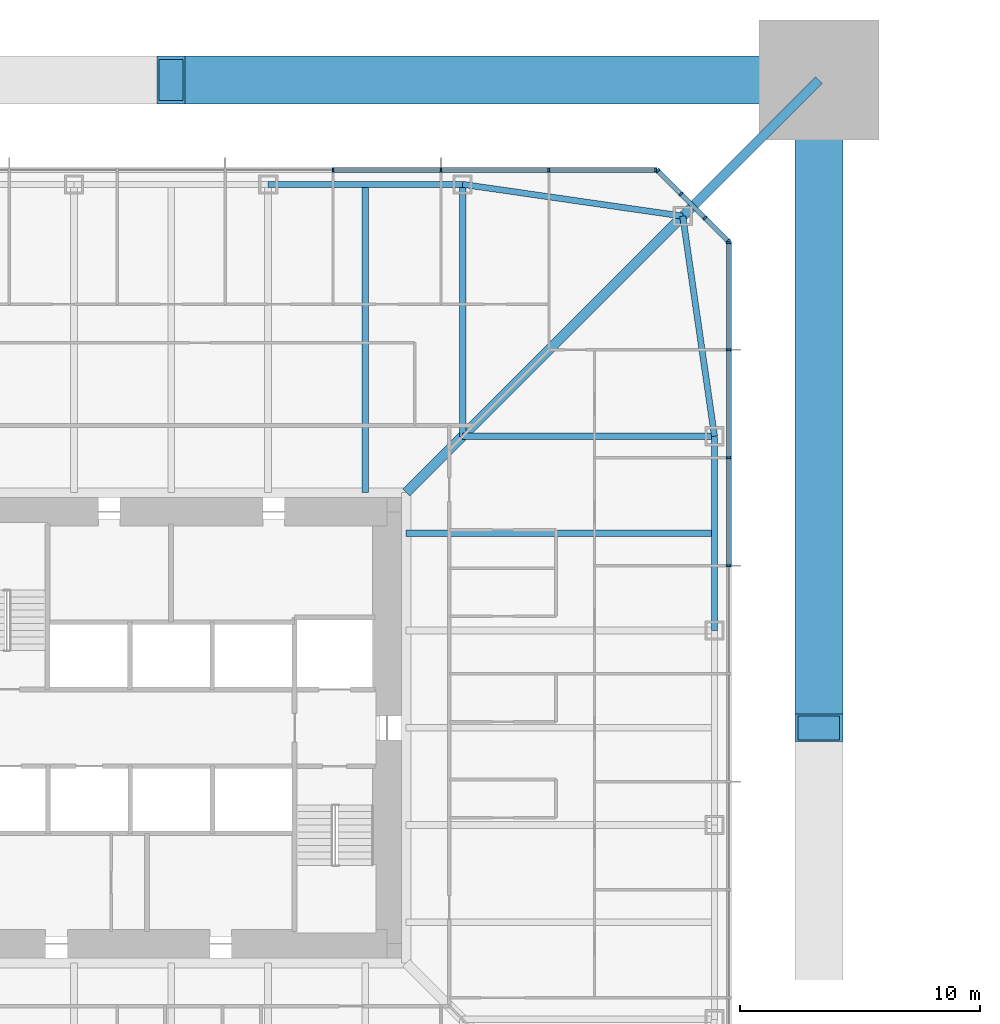
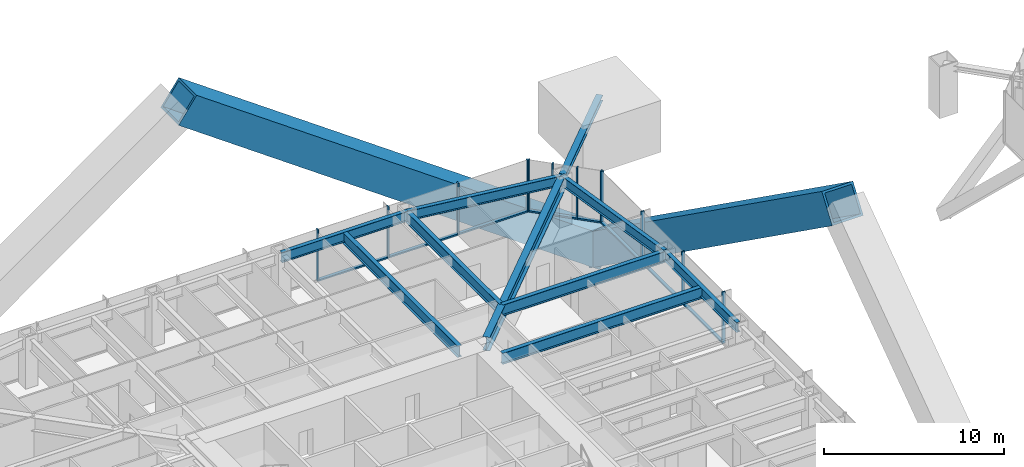
# One storey, part 9 of 28: 24 members, 9 beams, 3 elements without a shape of their own.
"""IFC4 building model written with IfcOpenShell, lengths in metres."""

from ifc_helpers import new_model, si_unit, direction, frame, origin, origin_2d, place, context, subcontext, project, spatial, rectangle, hollow_rectangle, i_section, extrude, material, material_profile, profile_set, type_object, element, aggregate, save


model = new_model("IFC4")

# Units and contexts
model_context = context("Model", 3, precision=1e-05, world=origin(), true_north=direction((0.0, 1.0)))
body_context = subcontext(model_context, "Body", "Model", "MODEL_VIEW")
ifc_project = project(units=[si_unit("LENGTHUNIT", "METRE"), si_unit("AREAUNIT", "SQUARE_METRE"), si_unit("VOLUMEUNIT", "CUBIC_METRE"), si_unit("PLANEANGLEUNIT", "RADIAN"), si_unit("MASSUNIT", "GRAM", prefix="KILO")], contexts=[model_context])

# Site, building, storey
site_placement = place(None, origin())
site = spatial("IfcSite", under=ifc_project, at=site_placement, CompositionType="ELEMENT")
building_placement = place(site_placement, origin())
building = spatial("IfcBuilding", under=site, at=building_placement, Name="Iwan Alto Co-Living Towers", CompositionType="ELEMENT")
storey_placement = place(building_placement, frame((0.0, 0.0, 43.0)))
storey = spatial("IfcBuildingStorey", under=building, at=storey_placement, Name="L11", CompositionType="ELEMENT", Elevation=43.0)

# Curtain wall, members
ifc_material_1 = material(Name="Bronze aluminium unitised frame", Category="aluminium")
curtain_wall_type_1 = type_object("IfcCurtainWallType", Name="CURTAIN WALL CW-A", PredefinedType="NOTDEFINED", material=ifc_material_1)
curtain_wall_1_placement = place(storey_placement, origin())
curtain_wall_1 = element("IfcCurtainWall", 1, at=curtain_wall_1_placement, inside=storey, type_object=curtain_wall_type_1, Name="T1 curtain wall E L11", PredefinedType="NOTDEFINED")
ifc_material_2 = material(Name="Aluminium 6063-T6 bronze anodised", Category="aluminium")
ifc_material_profile_1 = material_profile(ifc_material_2, rectangle(XDim=0.199951171875, YDim=0.080078125, at=origin_2d()), Name="AL 80X200")
ifc_profile_set_1 = profile_set([ifc_material_profile_1], Name="Aluminium 6063-T6 bronze anodised")
member_type_1 = type_object("IfcMemberType", Name="CW-A MULLION 80X200", PredefinedType="MULLION", material=ifc_profile_set_1)
member_1_placement = place(storey_placement, frame((23.25, 6.75, 0.0), z_axis=(0.0, 0.0, 1.0), x_axis=(-1.0, 0.0, 0.0)))
member_1 = element("IfcMember", 2, at=member_1_placement, type_object=member_type_1, Name="CW-A mullion 7", PredefinedType="MULLION", context=body_context, shape_type="SweptSolid", body=[
    extrude(rectangle(XDim=0.199951171875, YDim=0.080078125, at=origin_2d()), origin(), (0.0, 0.0, 1.0), 3.5),
])
member_2_placement = place(storey_placement, frame((23.25, 11.25, 0.0), z_axis=(0.0, 0.0, 1.0), x_axis=(-1.0, 0.0, 0.0)))
member_2 = element("IfcMember", 3, at=member_2_placement, type_object=member_type_1, Name="CW-A mullion 8", PredefinedType="MULLION", context=body_context, shape_type="SweptSolid", body=[
    extrude(rectangle(XDim=0.199951171875, YDim=0.080078125, at=origin_2d()), origin(), (0.0, 0.0, 1.0), 3.5),
])
member_3_placement = place(storey_placement, frame((23.25, 15.75, 0.0), z_axis=(0.0, 0.0, 1.0), x_axis=(-1.0, 0.0, 0.0)))
member_3 = element("IfcMember", 4, at=member_3_placement, type_object=member_type_1, Name="CW-A mullion 9", PredefinedType="MULLION", context=body_context, shape_type="SweptSolid", body=[
    extrude(rectangle(XDim=0.199951171875, YDim=0.080078125, at=origin_2d()), origin(), (0.0, 0.0, 1.0), 3.5),
])
member_4_placement = place(storey_placement, frame((23.25, 20.2099609375, 0.0), z_axis=(0.0, 0.0, 1.0), x_axis=(-1.0, 0.0, 0.0)))
member_4 = element("IfcMember", 5, at=member_4_placement, type_object=member_type_1, Name="CW-A mullion 10", PredefinedType="MULLION", context=body_context, shape_type="SweptSolid", body=[
    extrude(rectangle(XDim=0.199951171875, YDim=0.080078125, at=origin_2d()), origin(), (0.0, 0.0, 1.0), 3.5),
])

curtain_wall_2_placement = place(storey_placement, origin())
curtain_wall_2 = element("IfcCurtainWall", 6, at=curtain_wall_2_placement, inside=storey, type_object=curtain_wall_type_1, Name="T1 curtain wall N L11", PredefinedType="NOTDEFINED")
member_5_placement = place(storey_placement, frame((20.2099609375, 23.25, 0.0), z_axis=(0.0, 0.0, 1.0), x_axis=(0.0, -1.0, 0.0)))
member_5 = element("IfcMember", 7, at=member_5_placement, type_object=member_type_1, Name="CW-A mullion 1", PredefinedType="MULLION", context=body_context, shape_type="SweptSolid", body=[
    extrude(rectangle(XDim=0.199951171875, YDim=0.080078125, at=origin_2d()), origin(), (0.0, 0.0, 1.0), 3.5),
])
member_6_placement = place(storey_placement, frame((15.75, 23.25, 0.0), z_axis=(0.0, 0.0, 1.0), x_axis=(0.0, -1.0, 0.0)))
member_6 = element("IfcMember", 8, at=member_6_placement, type_object=member_type_1, Name="CW-A mullion 2", PredefinedType="MULLION", context=body_context, shape_type="SweptSolid", body=[
    extrude(rectangle(XDim=0.199951171875, YDim=0.080078125, at=origin_2d()), origin(), (0.0, 0.0, 1.0), 3.5),
])
member_7_placement = place(storey_placement, frame((11.25, 23.25, 0.0), z_axis=(0.0, 0.0, 1.0), x_axis=(0.0, -1.0, 0.0)))
member_7 = element("IfcMember", 9, at=member_7_placement, type_object=member_type_1, Name="CW-A mullion 3", PredefinedType="MULLION", context=body_context, shape_type="SweptSolid", body=[
    extrude(rectangle(XDim=0.199951171875, YDim=0.080078125, at=origin_2d()), origin(), (0.0, 0.0, 1.0), 3.5),
])
member_8_placement = place(storey_placement, frame((6.75, 23.25, 0.0), z_axis=(0.0, 0.0, 1.0), x_axis=(0.0, -1.0, 0.0)))
member_8 = element("IfcMember", 10, at=member_8_placement, type_object=member_type_1, Name="CW-A mullion 4", PredefinedType="MULLION", context=body_context, shape_type="SweptSolid", body=[
    extrude(rectangle(XDim=0.199951171875, YDim=0.080078125, at=origin_2d()), origin(), (0.0, 0.0, 1.0), 3.5),
])

# Member
ifc_material_3 = material(Name="Aluminium 6063-T6 bronze anodised", Category="aluminium")
ifc_material_profile_2 = material_profile(ifc_material_3, rectangle(XDim=0.199951171875, YDim=0.10009765625, at=origin_2d()), Name="AL 200X100")
ifc_profile_set_2 = profile_set([ifc_material_profile_2], Name="Aluminium 6063-T6 bronze anodised")
member_type_2 = type_object("IfcMemberType", Name="CW-A TRANSOM 200X100", PredefinedType="USERDEFINED", material=ifc_profile_set_2)
member_9_placement = place(storey_placement, frame((23.25, 6.7900390625, 0.050048828125), z_axis=(0.0, 1.0, 0.0), x_axis=(-1.0, 0.0, 0.0)))
member_9 = element("IfcMember", 11, at=member_9_placement, type_object=member_type_2, Name="CW-A transom 7.1", ObjectType="TRANSOM", PredefinedType="USERDEFINED", context=body_context, shape_type="SweptSolid", body=[
    extrude(rectangle(XDim=0.199951171875, YDim=0.10009765625, at=origin_2d()), origin(), (0.0, 0.0, 1.0), 4.419921875),
])

member_10_placement = place(storey_placement, frame((23.25, 11.2900390625, 0.050048828125), z_axis=(0.0, 1.0, 0.0), x_axis=(-1.0, 0.0, 0.0)))
member_10 = element("IfcMember", 12, at=member_10_placement, type_object=member_type_2, Name="CW-A transom 8.1", ObjectType="TRANSOM", PredefinedType="USERDEFINED", context=body_context, shape_type="SweptSolid", body=[
    extrude(rectangle(XDim=0.199951171875, YDim=0.10009765625, at=origin_2d()), origin(), (0.0, 0.0, 1.0), 4.419921875),
])

member_11_placement = place(storey_placement, frame((23.25, 15.7900390625, 0.050048828125), z_axis=(0.0, 1.0, 0.0), x_axis=(-1.0, 0.0, 0.0)))
member_11 = element("IfcMember", 13, at=member_11_placement, type_object=member_type_2, Name="CW-A transom 9.1", ObjectType="TRANSOM", PredefinedType="USERDEFINED", context=body_context, shape_type="SweptSolid", body=[
    extrude(rectangle(XDim=0.199951171875, YDim=0.10009765625, at=origin_2d()), origin(), (0.0, 0.0, 1.0), 4.3798828125),
])

aggregate(curtain_wall_1, [member_1, member_2, member_3, member_4, member_9, member_10, member_11])

member_12_placement = place(storey_placement, frame((20.169921875, 23.25, 0.050048828125), z_axis=(-1.0, 0.0, 0.0), x_axis=(0.0, -1.0, 0.0)))
member_12 = element("IfcMember", 14, at=member_12_placement, type_object=member_type_2, Name="CW-A transom 1.1", ObjectType="TRANSOM", PredefinedType="USERDEFINED", context=body_context, shape_type="SweptSolid", body=[
    extrude(rectangle(XDim=0.199951171875, YDim=0.10009765625, at=origin_2d()), origin(), (0.0, 0.0, 1.0), 4.3798828125),
])

member_13_placement = place(storey_placement, frame((15.7099609375, 23.25, 0.050048828125), z_axis=(-1.0, 0.0, 0.0), x_axis=(0.0, -1.0, 0.0)))
member_13 = element("IfcMember", 15, at=member_13_placement, type_object=member_type_2, Name="CW-A transom 2.1", ObjectType="TRANSOM", PredefinedType="USERDEFINED", context=body_context, shape_type="SweptSolid", body=[
    extrude(rectangle(XDim=0.199951171875, YDim=0.10009765625, at=origin_2d()), origin(), (0.0, 0.0, 1.0), 4.419921875),
])

member_14_placement = place(storey_placement, frame((11.2099609375, 23.25, 0.050048828125), z_axis=(-1.0, 0.0, 0.0), x_axis=(0.0, -1.0, 0.0)))
member_14 = element("IfcMember", 16, at=member_14_placement, type_object=member_type_2, Name="CW-A transom 3.1", ObjectType="TRANSOM", PredefinedType="USERDEFINED", context=body_context, shape_type="SweptSolid", body=[
    extrude(rectangle(XDim=0.199951171875, YDim=0.10009765625, at=origin_2d()), origin(), (0.0, 0.0, 1.0), 4.419921875),
])

aggregate(curtain_wall_2, [member_5, member_6, member_7, member_8, member_12, member_13, member_14])

# Curtain wall, members
ifc_material_4 = material(Name="Bronze aluminium unitised frame", Category="aluminium")
curtain_wall_type_2 = type_object("IfcCurtainWallType", Name="CURTAIN WALL CW-B", PredefinedType="NOTDEFINED", material=ifc_material_4)
curtain_wall_3_placement = place(storey_placement, origin())
curtain_wall_3 = element("IfcCurtainWall", 17, at=curtain_wall_3_placement, inside=storey, type_object=curtain_wall_type_2, Name="T1 chamfer curtain wall NE L11", PredefinedType="NOTDEFINED")
ifc_material_5 = material(Name="Aluminium 6063-T6 bronze anodised", Category="aluminium")
ifc_material_profile_3 = material_profile(ifc_material_5, rectangle(XDim=0.199951171875, YDim=0.080078125, at=origin_2d()), Name="AL 80X200")
ifc_profile_set_3 = profile_set([ifc_material_profile_3], Name="Aluminium 6063-T6 bronze anodised")
member_type_3 = type_object("IfcMemberType", Name="CW-B MULLION 80X200", PredefinedType="MULLION", material=ifc_profile_set_3)
member_15_placement = place(storey_placement, frame((23.2216796875, 20.2783203125, 0.0), z_axis=(0.0, 0.0, 1.0), x_axis=(-0.707106781187, -0.707106781187, 0.0)))
member_15 = element("IfcMember", 18, at=member_15_placement, type_object=member_type_3, Name="CW-B mullion 1", PredefinedType="MULLION", context=body_context, shape_type="SweptSolid", body=[
    extrude(rectangle(XDim=0.199951171875, YDim=0.080078125, at=origin_2d()), origin(), (0.0, 0.0, 1.0), 3.5),
])
member_16_placement = place(storey_placement, frame((22.25, 21.25, 0.0), z_axis=(0.0, 0.0, 1.0), x_axis=(-0.707106781187, -0.707106781187, 0.0)))
member_16 = element("IfcMember", 19, at=member_16_placement, type_object=member_type_3, Name="CW-B mullion 2", PredefinedType="MULLION", context=body_context, shape_type="SweptSolid", body=[
    extrude(rectangle(XDim=0.199951171875, YDim=0.080078125, at=origin_2d()), origin(), (0.0, 0.0, 1.0), 3.5),
])
member_17_placement = place(storey_placement, frame((21.25, 22.25, 0.0), z_axis=(0.0, 0.0, 1.0), x_axis=(-0.707106781187, -0.707106781187, 0.0)))
member_17 = element("IfcMember", 20, at=member_17_placement, type_object=member_type_3, Name="CW-B mullion 3", PredefinedType="MULLION", context=body_context, shape_type="SweptSolid", body=[
    extrude(rectangle(XDim=0.199951171875, YDim=0.080078125, at=origin_2d()), origin(), (0.0, 0.0, 1.0), 3.5),
])
member_18_placement = place(storey_placement, frame((20.2783203125, 23.2216796875, 0.0), z_axis=(0.0, 0.0, 1.0), x_axis=(-0.707106781187, -0.707106781187, 0.0)))
member_18 = element("IfcMember", 21, at=member_18_placement, type_object=member_type_3, Name="CW-B mullion 4", PredefinedType="MULLION", context=body_context, shape_type="SweptSolid", body=[
    extrude(rectangle(XDim=0.199951171875, YDim=0.080078125, at=origin_2d()), origin(), (0.0, 0.0, 1.0), 3.5),
])
ifc_material_6 = material(Name="Aluminium 6063-T6 bronze anodised", Category="aluminium")
ifc_material_profile_4 = material_profile(ifc_material_6, rectangle(XDim=0.199951171875, YDim=0.10009765625, at=origin_2d()), Name="AL 200X100")
ifc_profile_set_4 = profile_set([ifc_material_profile_4], Name="Aluminium 6063-T6 bronze anodised")
member_type_4 = type_object("IfcMemberType", Name="CW-B TRANSOM 200X100", PredefinedType="USERDEFINED", material=ifc_profile_set_4)
member_19_placement = place(storey_placement, frame((23.193359375, 20.306640625, 0.050048828125), z_axis=(-0.707106781187, 0.707106781187, 0.0), x_axis=(-0.707106781187, -0.707106781187, 0.0)))
member_19 = element("IfcMember", 22, at=member_19_placement, type_object=member_type_4, Name="CW-B transom 1.1", ObjectType="TRANSOM", PredefinedType="USERDEFINED", context=body_context, shape_type="SweptSolid", body=[
    extrude(rectangle(XDim=0.199951171875, YDim=0.10009765625, at=origin_2d()), origin(), (0.0, 0.0, 1.0), 1.2939453125),
])
member_20_placement = place(storey_placement, frame((22.2216796875, 21.2783203125, 0.050048828125), z_axis=(-0.707106781187, 0.707106781187, 0.0), x_axis=(-0.707106781187, -0.707106781187, 0.0)))
member_20 = element("IfcMember", 23, at=member_20_placement, type_object=member_type_4, Name="CW-B transom 2.1", ObjectType="TRANSOM", PredefinedType="USERDEFINED", context=body_context, shape_type="SweptSolid", body=[
    extrude(rectangle(XDim=0.199951171875, YDim=0.10009765625, at=origin_2d()), origin(), (0.0, 0.0, 1.0), 1.334228515625),
])
member_21_placement = place(storey_placement, frame((21.2216796875, 22.2783203125, 0.050048828125), z_axis=(-0.707106781187, 0.707106781187, 0.0), x_axis=(-0.707106781187, -0.707106781187, 0.0)))
member_21 = element("IfcMember", 24, at=member_21_placement, type_object=member_type_4, Name="CW-B transom 3.1", ObjectType="TRANSOM", PredefinedType="USERDEFINED", context=body_context, shape_type="SweptSolid", body=[
    extrude(rectangle(XDim=0.199951171875, YDim=0.10009765625, at=origin_2d()), origin(), (0.0, 0.0, 1.0), 1.2939453125),
])
aggregate(curtain_wall_3, [member_15, member_16, member_17, member_18, member_19, member_20, member_21])

# Beams
ifc_material_7 = material(Name="Steel ASTM A992 Gr 50", Category="steel")
ifc_material_profile_5 = material_profile(ifc_material_7, i_section(OverallWidth=0.419189453125, OverallDepth=0.927001953125, WebThickness=0.019287109375, FlangeThickness=0.031982421875, at=origin_2d()), Name="W36X231")
ifc_profile_set_5 = profile_set([ifc_material_profile_5], Name="Steel ASTM A992 Gr 50")
beam_type_1 = type_object("IfcBeamType", Name="T1 CORNER GIRDER W36X231", PredefinedType="BEAM", material=ifc_profile_set_5)
beam_1_placement = place(storey_placement, frame((21.32568359375, 21.32568359375, 2.806396484375), z_axis=(-0.707106781187, -0.707106781187, 0.0), x_axis=(0.707106781187, -0.707106781187, 0.0)))
element("IfcBeam", 25, at=beam_1_placement, inside=storey, type_object=beam_type_1, Name="T1 corner girder CNE L12", PredefinedType="BEAM", context=body_context, shape_type="SweptSolid", body=[
    extrude(i_section(OverallWidth=0.419189453125, OverallDepth=0.927001953125, WebThickness=0.019287109375, FlangeThickness=0.031982421875, at=origin_2d()), origin(), (0.0, 0.0, 1.0), 16.296875),
])
ifc_material_8 = material(Name="Steel ASTM A992 Gr 50", Category="steel")
ifc_material_profile_6 = material_profile(ifc_material_8, i_section(OverallWidth=0.25390625, OverallDepth=0.683349609375, WebThickness=0.012451171875, FlangeThickness=0.018798828125, at=origin_2d()), Name="W27X94")
ifc_profile_set_6 = profile_set([ifc_material_profile_6], Name="Steel ASTM A992 Gr 50")
beam_type_2 = type_object("IfcBeamType", Name="T1 EDGE BEAM W27X94", PredefinedType="BEAM", material=ifc_profile_set_6)
beam_2_placement = place(storey_placement, frame((22.64990234375, 4.050048828125, 2.928466796875), z_axis=(0.0, 1.0, 0.0), x_axis=(-1.0, 0.0, 0.0)))
element("IfcBeam", 26, at=beam_2_placement, inside=storey, type_object=beam_type_2, Name="T1 edge beam E3 L12", PredefinedType="BEAM", context=body_context, shape_type="SweptSolid", body=[
    extrude(i_section(OverallWidth=0.25390625, OverallDepth=0.683349609375, WebThickness=0.012451171875, FlangeThickness=0.018798828125, at=origin_2d()), origin(), (0.0, 0.0, 1.0), 8.099853515625),
])
for number, where, z_axis, x_axis, name in (
    (27, (22.64990234375, 12.14990234375, 2.928466796875), (-0.142836940589, 0.989746234347, 0.0), (-0.989746234347, -0.142836940589, 0.0), "T1 edge beam E4 L12"),
    (28, (21.32568359375, 21.32568359375, 2.928466796875), (-0.989746234347, 0.142836940589, 0.0), (-0.142836940589, -0.989746234347, 0.0), "T1 edge beam CNE L12"),
):
    element("IfcBeam", number, at=place(storey_placement, frame(where, z_axis=z_axis, x_axis=x_axis)), inside=storey, type_object=beam_type_2, Name=name, PredefinedType="BEAM", context=body_context, shape_type="SweptSolid", body=[
        extrude(i_section(OverallWidth=0.25390625, OverallDepth=0.683349609375, WebThickness=0.012451171875, FlangeThickness=0.018798828125, at=origin_2d()), origin(), (0.0, 0.0, 1.0), 9.270751953125),
    ])
beam_3_placement = place(storey_placement, frame((12.14990234375, 22.64990234375, 2.928466796875), z_axis=(-1.0, 0.0, 0.0), x_axis=(0.0, -1.0, 0.0)))
element("IfcBeam", 29, at=beam_3_placement, inside=storey, type_object=beam_type_2, Name="T1 edge beam N1 L12", PredefinedType="BEAM", context=body_context, shape_type="SweptSolid", body=[
    extrude(i_section(OverallWidth=0.25390625, OverallDepth=0.683349609375, WebThickness=0.012451171875, FlangeThickness=0.018798828125, at=origin_2d()), origin(), (0.0, 0.0, 1.0), 8.099853515625),
])

# Members
ifc_material_9 = material(Name="Steel ASTM A572 Gr 42", Category="steel")
ifc_material_profile_7 = material_profile(ifc_material_9, hollow_rectangle(XDim=2.0, YDim=2.0, WallThickness=0.139892578125, at=origin_2d()), Name="BOX 2000X2000X140")
ifc_profile_set_7 = profile_set([ifc_material_profile_7], Name="Steel ASTM A572 Gr 42")
member_type_5 = type_object("IfcMemberType", Name="T1 MEGA BRACE BOX 2000X2000X140", PredefinedType="BRACE", material=ifc_profile_set_7)
for number, where, z_axis, x_axis, name in (
    (30, (27.0, 27.0, -7.0), (0.0, -0.814242569702, 0.580524795065), (1.0, 0.0, 0.0), "T1 mega brace Z1B E 2 lower"),
    (31, (27.0, 27.0, -7.0), (-0.814242569702, 0.0, 0.580524795065), (0.0, -1.0, 0.0), "T1 mega brace Z1B N 1 lower"),
):
    element("IfcMember", number, at=place(storey_placement, frame(where, z_axis=z_axis, x_axis=x_axis)), inside=storey, type_object=member_type_5, Name=name, PredefinedType="BRACE", context=body_context, shape_type="SweptSolid", body=[
        extrude(hollow_rectangle(XDim=2.0, YDim=2.0, WallThickness=0.139892578125, at=origin_2d()), origin(), (0.0, 0.0, 1.0), 33.15966796875),
    ])
ifc_material_10 = material(Name="Steel ASTM A992 Gr 50", Category="steel")
ifc_material_profile_8 = material_profile(ifc_material_10, i_section(OverallWidth=0.393798828125, OverallDepth=0.3759765625, WebThickness=0.017333984375, FlangeThickness=0.027587890625, at=origin_2d()), Name="W14X145")
ifc_profile_set_8 = profile_set([ifc_material_profile_8], Name="Steel ASTM A992 Gr 50")
member_type_6 = type_object("IfcMemberType", Name="T1 MEGA COLUMN FLOOR TIE W14X145", PredefinedType="STRUT", material=ifc_profile_set_8)
member_22_placement = place(storey_placement, frame((27.0, 27.0, 3.08203125), z_axis=(-0.707106781187, -0.707106781187, 0.0), x_axis=(0.707106781187, -0.707106781187, 0.0)))
element("IfcMember", 32, at=member_22_placement, inside=storey, type_object=member_type_6, Name="T1 mega column floor tie NE L12", PredefinedType="STRUT", context=body_context, shape_type="SweptSolid", body=[
    extrude(i_section(OverallWidth=0.393798828125, OverallDepth=0.3759765625, WebThickness=0.017333984375, FlangeThickness=0.027587890625, at=origin_2d()), origin(), (0.0, 0.0, 1.0), 8.024658203125),
])

# Beams
ifc_material_11 = material(Name="Steel ASTM A992 Gr 50", Category="steel")
ifc_material_profile_9 = material_profile(ifc_material_11, i_section(OverallWidth=0.2666015625, OverallDepth=0.761962890625, WebThickness=0.014404296875, FlangeThickness=0.021484375, at=origin_2d()), Name="W30X116")
ifc_profile_set_9 = profile_set([ifc_material_profile_9], Name="Steel ASTM A992 Gr 50")
beam_type_3 = type_object("IfcBeamType", Name="T1 RADIAL BEAM W30X116", PredefinedType="BEAM", material=ifc_profile_set_9)
for number, where, z_axis, x_axis, name in (
    (33, (22.64990234375, 12.14990234375, 2.888916015625), (-1.0, 0.0, 0.0), (0.0, -1.0, 0.0), "T1 radial beam E4 L12"),
    (34, (12.14990234375, 22.64990234375, 2.888916015625), (0.0, -1.0, 0.0), (1.0, 0.0, 0.0), "T1 radial beam N1 L12"),
):
    element("IfcBeam", number, at=place(storey_placement, frame(where, z_axis=z_axis, x_axis=x_axis)), inside=storey, type_object=beam_type_3, Name=name, PredefinedType="BEAM", context=body_context, shape_type="SweptSolid", body=[
        extrude(i_section(OverallWidth=0.2666015625, OverallDepth=0.761962890625, WebThickness=0.014404296875, FlangeThickness=0.021484375, at=origin_2d()), origin(), (0.0, 0.0, 1.0), 10.5),
    ])
ifc_material_12 = material(Name="Steel ASTM A992 Gr 50", Category="steel")
ifc_material_profile_10 = material_profile(ifc_material_12, i_section(OverallWidth=0.2666015625, OverallDepth=0.761962890625, WebThickness=0.014404296875, FlangeThickness=0.021484375, at=origin_2d()), Name="W30X116")
ifc_profile_set_10 = profile_set([ifc_material_profile_10], Name="Steel ASTM A992 Gr 50")
beam_type_4 = type_object("IfcBeamType", Name="T1 SECONDARY BEAM W30X116", PredefinedType="JOIST", material=ifc_profile_set_10)
for number, where, z_axis, x_axis, name in (
    (35, (22.64990234375, 8.10009765625, 2.888916015625), (-1.0, 0.0, 0.0), (0.0, -1.0, 0.0), "T1 secondary beam E3 L12"),
    (36, (8.10009765625, 22.64990234375, 2.888916015625), (0.0, -1.0, 0.0), (1.0, 0.0, 0.0), "T1 secondary beam N1 L12"),
):
    element("IfcBeam", number, at=place(storey_placement, frame(where, z_axis=z_axis, x_axis=x_axis)), inside=storey, type_object=beam_type_4, Name=name, PredefinedType="JOIST", context=body_context, shape_type="SweptSolid", body=[
        extrude(i_section(OverallWidth=0.2666015625, OverallDepth=0.761962890625, WebThickness=0.014404296875, FlangeThickness=0.021484375, at=origin_2d()), origin(), (0.0, 0.0, 1.0), 12.847900390625),
    ])

save(model, "model.ifc")
